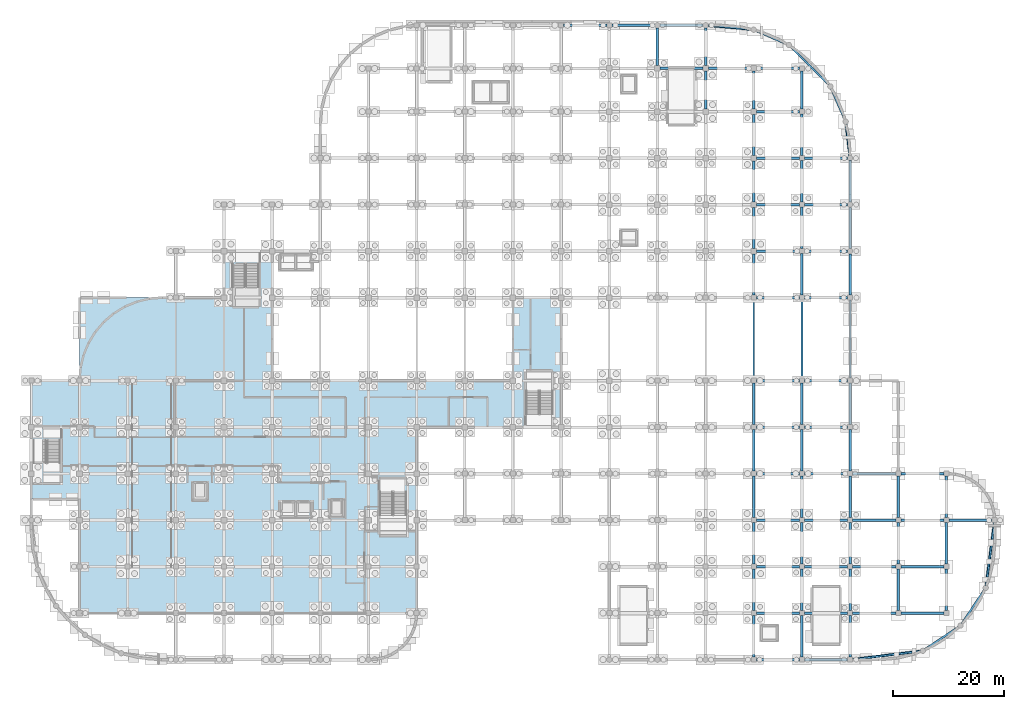
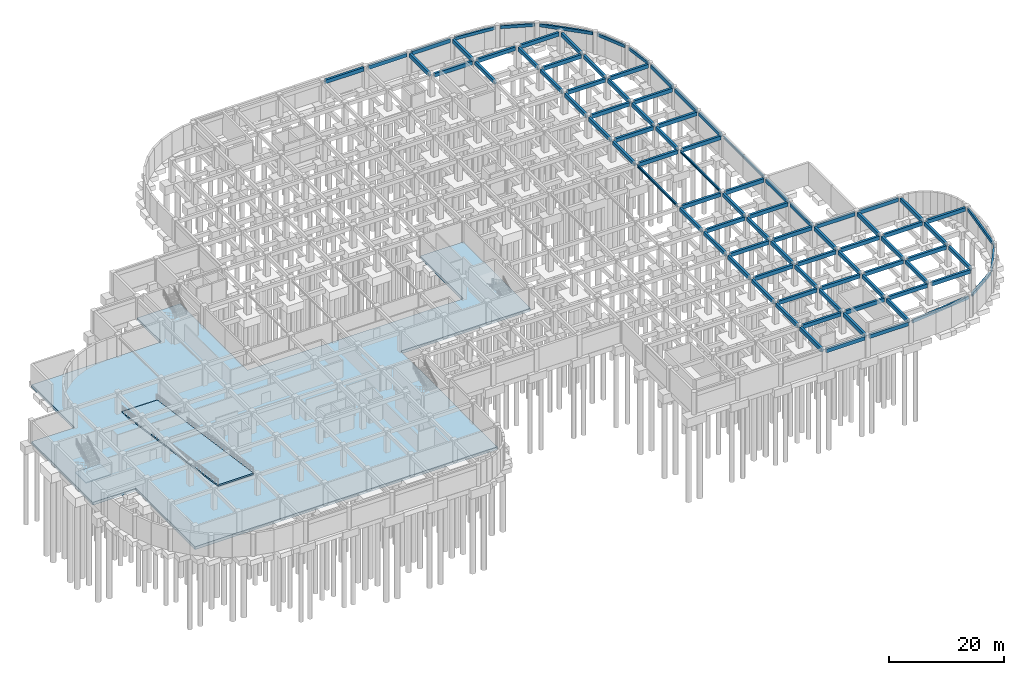
# One storey, part 19 of 33: 90 beams, 3 slabs, 1 element without a shape of its own.
"""IFC4 building model written with IfcOpenShell, lengths in metres."""

import ifcopenshell
import ifcopenshell.guid

model = None  # the IFC model being written
_history = None  # IfcOwnerHistory: only IFC2X3 demands one
_inside = {}  # id of a spatial element -> (the spatial element, [elements in it])
_under = {}  # id of a project, library or spatial element -> (it, [spatial elements below it])
_declared = {}  # id of a project -> (the project, [libraries it declares])
_typed = {}  # id of a type object -> (the type object, [elements of that type])
_made_of = {}  # id of a material, layer set ... -> (it, [elements and type objects made of it])


def new_model(schema):
    """Start an empty IFC model of exactly this schema.

    Asked for "IFC4X3", IfcOpenShell would pick the latest addendum, in which some entities
    have other attributes; the version numbers below select the first issue.
    IFC2X3 requires an IfcOwnerHistory on every rooted entity: one is made here for all.
    """
    global model, _history
    if schema == "IFC4X3":
        model = ifcopenshell.file(schema_version=(4, 3, 0, 0))
    else:
        model = ifcopenshell.file(schema=schema)
    _inside.clear()
    _under.clear()
    _declared.clear()
    _typed.clear()
    _made_of.clear()
    _history = None
    if model.schema == "IFC2X3":
        org = make("IfcOrganization", Name="unknown")
        user = make(
            "IfcPersonAndOrganization",
            ThePerson=make("IfcPerson", FamilyName="unknown"),
            TheOrganization=org,
        )
        app = make(
            "IfcApplication",
            ApplicationDeveloper=org,
            Version="unknown",
            ApplicationFullName="unknown",
            ApplicationIdentifier="unknown",
        )
        _history = make(
            "IfcOwnerHistory",
            OwningUser=user,
            OwningApplication=app,
            ChangeAction="ADDED",
            CreationDate=0,
        )
    return model


def make(cls, **values):
    """One entity of the class cls with the attributes given. An attribute that is None is left unset."""
    return model.create_entity(
        cls, **{name: value for name, value in values.items() if value is not None}
    )


def rooted(cls, **values):
    """An entity with a GlobalId (a new one), such as an element, a storey or a relation."""
    return make(cls, GlobalId=ifcopenshell.guid.new(), OwnerHistory=_history, **values)


def si_unit(unit_type, name, prefix=None):
    """IfcSIUnit, for example si_unit("LENGTHUNIT", "METRE", prefix="MILLI")."""
    return make("IfcSIUnit", UnitType=unit_type, Prefix=prefix, Name=name)


def derived_unit(unit_type, elements):
    """IfcDerivedUnit: a product of units, each with its exponent."""
    return make(
        "IfcDerivedUnit",
        Elements=[
            make("IfcDerivedUnitElement", Unit=unit, Exponent=power)
            for unit, power in elements
        ],
        UnitType=unit_type,
    )


def assignment(units):
    """IfcUnitAssignment: the units of a project."""
    return None if units is None else make("IfcUnitAssignment", Units=units)


def point(xyz):
    """IfcCartesianPoint."""
    return None if xyz is None else make("IfcCartesianPoint", Coordinates=xyz)


def direction(xyz):
    """IfcDirection."""
    return None if xyz is None else make("IfcDirection", DirectionRatios=xyz)


def frame(location, z_axis=None, x_axis=None):
    """IfcAxis2Placement3D, a coordinate frame: its origin and axes. An axis left out is left unset."""
    return make(
        "IfcAxis2Placement3D",
        Location=point(location),
        Axis=direction(z_axis),
        RefDirection=direction(x_axis),
    )


def frame_2d(location, x_axis=None):
    """IfcAxis2Placement2D, a coordinate frame in the plane: its origin and x axis."""
    return make(
        "IfcAxis2Placement2D", Location=point(location), RefDirection=direction(x_axis)
    )


def origin():
    """The frame at (0, 0, 0) with its axes left unset."""
    return frame((0.0, 0.0, 0.0))


def origin_2d():
    """The frame at (0, 0) in the plane with its x axis left unset."""
    return frame_2d((0.0, 0.0))


def place(relative_to, where):
    """IfcLocalPlacement: puts the frame where relative to a parent placement (None: the world)."""
    return make(
        "IfcLocalPlacement", PlacementRelTo=relative_to, RelativePlacement=where
    )


def context(
    kind, dimensions, precision=None, world=None, true_north=None, identifier=None
):
    """IfcGeometricRepresentationContext, for example the 3D "Model" context."""
    return make(
        "IfcGeometricRepresentationContext",
        ContextIdentifier=identifier,
        ContextType=kind,
        CoordinateSpaceDimension=dimensions,
        Precision=precision,
        WorldCoordinateSystem=world,
        TrueNorth=true_north,
    )


def subcontext(parent, identifier, kind, view, scale=None):
    """IfcGeometricRepresentationSubContext, for example "Body" below "Model"."""
    return make(
        "IfcGeometricRepresentationSubContext",
        ContextIdentifier=identifier,
        ContextType=kind,
        ParentContext=parent,
        TargetScale=scale,
        TargetView=view,
    )


def project(units=None, contexts=None):
    """IfcProject with its units and contexts."""
    return rooted(
        "IfcProject",
        Name="project",
        RepresentationContexts=contexts,
        UnitsInContext=assignment(units),
    )


def spatial(cls, under=None, at=None, **own):
    """A site, building, storey or space (cls), placed at a placement, below another one or the project."""
    s = rooted(cls, ObjectPlacement=at, **own)
    if under is not None:
        _under.setdefault(under.id(), (under, []))[1].append(s)
    return s


def polyline(points):
    """IfcPolyline through the points."""
    return make("IfcPolyline", Points=[point(p) for p in points])


def profile(cls, at=None, kind="AREA", **sizes):
    """A parametric profile (cls). Its sizes go by their IFC names, for example OverallWidth=200.0."""
    return make(cls, ProfileType=kind, Position=at, **sizes)


def rectangle(**sizes):
    """IfcRectangleProfileDef."""
    return profile("IfcRectangleProfileDef", **sizes)


def i_section(**sizes):
    """IfcIShapeProfileDef."""
    return profile("IfcIShapeProfileDef", **sizes)


def outline(outer, holes=None, kind="AREA"):
    """IfcArbitraryClosedProfileDef: a profile drawn as a closed curve; with holes, ...WithVoids."""
    if holes is None:
        return make("IfcArbitraryClosedProfileDef", ProfileType=kind, OuterCurve=outer)
    return make(
        "IfcArbitraryProfileDefWithVoids",
        ProfileType=kind,
        OuterCurve=outer,
        InnerCurves=holes,
    )


def extrude(swept, where, along, depth):
    """IfcExtrudedAreaSolid: the profile swept, set in the frame where, extruded along a direction by depth."""
    return make(
        "IfcExtrudedAreaSolid",
        SweptArea=swept,
        Position=where,
        ExtrudedDirection=direction(along),
        Depth=depth,
    )


def shape(context_of_items, identifier, shape_type, items):
    """IfcShapeRepresentation: the items that make up one representation, for example the "Body"."""
    return make(
        "IfcShapeRepresentation",
        ContextOfItems=context_of_items,
        RepresentationIdentifier=identifier,
        RepresentationType=shape_type,
        Items=items,
    )


def material(Name=None, Category=None):
    """IfcMaterial."""
    return make("IfcMaterial", Name=Name, Category=Category)


def layer(
    of_material, thickness, ventilated=None, Name=None, Category=None, Priority=None
):
    """IfcMaterialLayer: one layer of a wall or slab, of a material (None: an air gap)."""
    return make(
        "IfcMaterialLayer",
        Material=of_material,
        LayerThickness=thickness,
        IsVentilated=ventilated,
        Name=Name,
        Category=Category,
        Priority=Priority,
    )


def layer_set(layers, Name=None):
    """IfcMaterialLayerSet."""
    return make("IfcMaterialLayerSet", MaterialLayers=layers, LayerSetName=Name)


def material_profile(
    of_material, cross_section, Name=None, Category=None, Priority=None
):
    """IfcMaterialProfile: a cross section and its material."""
    return make(
        "IfcMaterialProfile",
        Name=Name,
        Material=of_material,
        Profile=cross_section,
        Priority=Priority,
        Category=Category,
    )


def profile_set(profiles, Name=None, composite=None):
    """IfcMaterialProfileSet."""
    return make(
        "IfcMaterialProfileSet",
        Name=Name,
        MaterialProfiles=profiles,
        CompositeProfile=composite,
    )


def made_of(thing, what):
    """Note that an element or type object is made of a material, layer set ...; save() writes the relation."""
    if what is not None:
        _made_of.setdefault(what.id(), (what, []))[1].append(thing)
    return thing


def type_object(cls, material=None, **own):
    """A type object (cls), such as IfcWallType, which elements share."""
    return made_of(rooted(cls, **own), material)


def element(
    cls,
    number,
    at=None,
    inside=None,
    cuts=None,
    type_object=None,
    material=None,
    context=None,
    identifier="Body",
    shape_type=None,
    held_by="IfcProductDefinitionShape",
    body=None,
    shapes=None,
    **own,
):
    """One element of the class cls, such as IfcWall. Its Tag is "e" and its number.

    at: its placement. inside: the storey or other place that contains it. cuts: it is an
    opening in that element (IfcRelVoidsElement). A single representation is given by context,
    identifier, shape_type and body (its items); several are given by shapes. held_by: the class
    of the entity that holds the representations. save() writes the other relations.
    """
    e = rooted(cls, Tag="e%d" % number, ObjectPlacement=at, **own)
    if body is not None:
        shapes = [shape(context, identifier, shape_type, body)]
    if shapes is not None:
        e.Representation = make(held_by, Representations=shapes)
    if inside is not None:
        _inside.setdefault(inside.id(), (inside, []))[1].append(e)
    if cuts is not None:
        rooted(
            "IfcRelVoidsElement", RelatingBuildingElement=cuts, RelatedOpeningElement=e
        )
    if type_object is not None:
        _typed.setdefault(type_object.id(), (type_object, []))[1].append(e)
    return made_of(e, material)


def aggregate(whole, parts):
    """IfcRelAggregates: a whole, such as a stair, and the parts it consists of."""
    return rooted("IfcRelAggregates", RelatingObject=whole, RelatedObjects=parts)


def save(model, path):
    """Write the relations noted so far, then the file.

    IfcRelAggregates (storeys below a building ...), IfcRelContainedInSpatialStructure (elements
    in a storey), IfcRelDefinesByType, IfcRelAssociatesMaterial and IfcRelDeclares: one each for
    every whole, place, type object, material and project.
    """
    for whole, parts in _under.values():
        aggregate(whole, parts)
    for where, things in _inside.values():
        rooted(
            "IfcRelContainedInSpatialStructure",
            RelatedElements=things,
            RelatingStructure=where,
        )
    for kind, things in _typed.values():
        rooted("IfcRelDefinesByType", RelatedObjects=things, RelatingType=kind)
    for what, things in _made_of.values():
        rooted("IfcRelAssociatesMaterial", RelatedObjects=things, RelatingMaterial=what)
    for by, libraries in _declared.values():
        rooted("IfcRelDeclares", RelatingContext=by, RelatedDefinitions=libraries)
    model.write(path)


model = new_model("IFC4")

# Units and contexts
model_context = context("Model", 3, precision=1e-05, world=origin(), true_north=direction((0.0, 1.0)))
body_context = subcontext(model_context, "Body", "Model", "MODEL_VIEW")
ifc_project = project(units=[si_unit("LENGTHUNIT", "METRE"), si_unit("AREAUNIT", "SQUARE_METRE"), si_unit("VOLUMEUNIT", "CUBIC_METRE"), si_unit("PLANEANGLEUNIT", "RADIAN"), si_unit("MASSUNIT", "GRAM", prefix="KILO"), derived_unit("THERMALTRANSMITTANCEUNIT", [(si_unit("MASSUNIT", "GRAM", prefix="KILO"), 1), (si_unit("TIMEUNIT", "SECOND"), -3), (si_unit("THERMODYNAMICTEMPERATUREUNIT", "KELVIN"), -1)])], contexts=[model_context])

# Site, building, storey
site_placement = place(None, origin())
site = spatial("IfcSite", under=ifc_project, at=site_placement, CompositionType="ELEMENT")
building_placement = place(site_placement, origin())
building = spatial("IfcBuilding", under=site, at=building_placement, Name="Qinzheling Arcade Emporium", CompositionType="ELEMENT")
storey_placement = place(building_placement, frame((0.0, 0.0, -9.60009765625)))
storey = spatial("IfcBuildingStorey", under=building, at=storey_placement, Name="B2", CompositionType="ELEMENT", Elevation=-9.60009765625)

# Beams
ifc_material_1 = material(Name="Structural steel Q355B", Category="steel")
ifc_material_profile_1 = material_profile(ifc_material_1, i_section(OverallWidth=0.300048828125, OverallDepth=0.488037109375, WebThickness=0.010986328125, FlangeThickness=0.01806640625, FilletRadius=0.02197265625, at=origin_2d()), Name="HM 488x300x11x18", Category="steel")
ifc_profile_set_1 = profile_set([ifc_material_profile_1], Name="Structural steel Q355B")
beam_type_1 = type_object("IfcBeamType", Name="Atrium Bridge Girder HM488 Q355B", PredefinedType="USERDEFINED", material=ifc_profile_set_1)
for number, where, z_axis, x_axis, name in (
    (1, (130.5, 50.85009765625, 4.276123046875), (0.0, 1.0, 0.0), (-1.0, 0.0, 0.0), "Beam BM-B2-Y-16-G"),
    (2, (139.199951171875, 50.85009765625, 4.276123046875), (0.0, 1.0, 0.0), (-1.0, 0.0, 0.0), "Beam BM-B2-Y-17-G"),
    (3, (147.89990234375, 50.85009765625, 4.276123046875), (0.0, 1.0, 0.0), (-1.0, 0.0, 0.0), "Beam BM-B2-Y-18-G"),
):
    element("IfcBeam", number, at=place(storey_placement, frame(where, z_axis=z_axis, x_axis=x_axis)), inside=storey, type_object=beam_type_1, Name=name, ObjectType="TRANSFER_GIRDER", PredefinedType="USERDEFINED", context=body_context, shape_type="SweptSolid", body=[
        extrude(i_section(OverallWidth=0.300048828125, OverallDepth=0.488037109375, WebThickness=0.010986328125, FlangeThickness=0.01806640625, FilletRadius=0.02197265625, at=origin_2d()), origin(), (0.0, 0.0, 1.0), 14.099853515625),
    ])
ifc_material_2 = material(Name="Concrete C40", Category="concrete")
ifc_material_profile_2 = material_profile(ifc_material_2, rectangle(XDim=0.449951171875, YDim=0.800048828125, at=origin_2d()), Name="RC 450x800", Category="concrete")
ifc_profile_set_2 = profile_set([ifc_material_profile_2], Name="Concrete C40")
beam_type_2 = type_object("IfcBeamType", Name="RC Primary Frame Beam 450x800 C40", PredefinedType="BEAM", material=ifc_profile_set_2)
for number, where, z_axis, x_axis, name in (
    (4, (130.949951171875, 0.0, 4.1201171875), (1.0, 0.0, 0.0), (0.0, 1.0, 0.0), "Beam BM-B2-X-A-16"),
    (5, (139.64990234375, 0.0, 4.1201171875), (1.0, 0.0, 0.0), (0.0, 1.0, 0.0), "Beam BM-B2-X-A-17"),
    (6, (130.949951171875, 8.39990234375, 4.1201171875), (1.0, 0.0, 0.0), (0.0, 1.0, 0.0), "Beam BM-B2-X-B-16"),
    (7, (139.64990234375, 8.39990234375, 4.1201171875), (1.0, 0.0, 0.0), (0.0, 1.0, 0.0), "Beam BM-B2-X-B-17"),
):
    element("IfcBeam", number, at=place(storey_placement, frame(where, z_axis=z_axis, x_axis=x_axis)), inside=storey, type_object=beam_type_2, Name=name, PredefinedType="BEAM", context=body_context, shape_type="SweptSolid", body=[
        extrude(rectangle(XDim=0.449951171875, YDim=0.800048828125, at=origin_2d()), origin(), (0.0, 0.0, 1.0), 7.800048828125),
    ])
beam_1_placement = place(storey_placement, frame((148.35009765625, 8.39990234375, 4.1201171875), z_axis=(1.0, 0.0, 0.0), x_axis=(0.0, 1.0, 0.0)))
element("IfcBeam", 8, at=beam_1_placement, inside=storey, type_object=beam_type_2, Name="Beam BM-B2-X-B-18", PredefinedType="BEAM", context=body_context, shape_type="SweptSolid", body=[
    extrude(rectangle(XDim=0.449951171875, YDim=0.800048828125, at=origin_2d()), origin(), (0.0, 0.0, 1.0), 7.7998046875),
])
for number, where, z_axis, x_axis, name in (
    (9, (157.050048828125, 8.39990234375, 4.1201171875), (1.0, 0.0, 0.0), (0.0, 1.0, 0.0), "Beam BM-B2-X-B-19"),
    (10, (130.949951171875, 16.800048828125, 4.1201171875), (1.0, 0.0, 0.0), (0.0, 1.0, 0.0), "Beam BM-B2-X-C-16"),
    (11, (139.64990234375, 16.800048828125, 4.1201171875), (1.0, 0.0, 0.0), (0.0, 1.0, 0.0), "Beam BM-B2-X-C-17"),
):
    element("IfcBeam", number, at=place(storey_placement, frame(where, z_axis=z_axis, x_axis=x_axis)), inside=storey, type_object=beam_type_2, Name=name, PredefinedType="BEAM", context=body_context, shape_type="SweptSolid", body=[
        extrude(rectangle(XDim=0.449951171875, YDim=0.800048828125, at=origin_2d()), origin(), (0.0, 0.0, 1.0), 7.800048828125),
    ])
beam_2_placement = place(storey_placement, frame((148.35009765625, 16.800048828125, 4.1201171875), z_axis=(1.0, 0.0, 0.0), x_axis=(0.0, 1.0, 0.0)))
element("IfcBeam", 12, at=beam_2_placement, inside=storey, type_object=beam_type_2, Name="Beam BM-B2-X-C-18", PredefinedType="BEAM", context=body_context, shape_type="SweptSolid", body=[
    extrude(rectangle(XDim=0.449951171875, YDim=0.800048828125, at=origin_2d()), origin(), (0.0, 0.0, 1.0), 7.7998046875),
])
for number, where, z_axis, x_axis, name in (
    (13, (157.050048828125, 16.800048828125, 4.1201171875), (1.0, 0.0, 0.0), (0.0, 1.0, 0.0), "Beam BM-B2-X-C-19"),
    (14, (130.949951171875, 25.199951171875, 4.1201171875), (1.0, 0.0, 0.0), (0.0, 1.0, 0.0), "Beam BM-B2-X-D-16"),
    (15, (139.64990234375, 25.199951171875, 4.1201171875), (1.0, 0.0, 0.0), (0.0, 1.0, 0.0), "Beam BM-B2-X-D-17"),
):
    element("IfcBeam", number, at=place(storey_placement, frame(where, z_axis=z_axis, x_axis=x_axis)), inside=storey, type_object=beam_type_2, Name=name, PredefinedType="BEAM", context=body_context, shape_type="SweptSolid", body=[
        extrude(rectangle(XDim=0.449951171875, YDim=0.800048828125, at=origin_2d()), origin(), (0.0, 0.0, 1.0), 7.800048828125),
    ])
beam_3_placement = place(storey_placement, frame((148.35009765625, 25.199951171875, 4.1201171875), z_axis=(1.0, 0.0, 0.0), x_axis=(0.0, 1.0, 0.0)))
element("IfcBeam", 16, at=beam_3_placement, inside=storey, type_object=beam_type_2, Name="Beam BM-B2-X-D-18", PredefinedType="BEAM", context=body_context, shape_type="SweptSolid", body=[
    extrude(rectangle(XDim=0.449951171875, YDim=0.800048828125, at=origin_2d()), origin(), (0.0, 0.0, 1.0), 7.7998046875),
])
for number, where, z_axis, x_axis, name in (
    (17, (157.050048828125, 25.199951171875, 4.1201171875), (1.0, 0.0, 0.0), (0.0, 1.0, 0.0), "Beam BM-B2-X-D-19"),
    (18, (165.75, 25.199951171875, 4.1201171875), (1.0, 0.0, 0.0), (0.0, 1.0, 0.0), "Beam BM-B2-X-D-20"),
    (19, (130.949951171875, 33.60009765625, 4.1201171875), (1.0, 0.0, 0.0), (0.0, 1.0, 0.0), "Beam BM-B2-X-E-16"),
    (20, (139.64990234375, 33.60009765625, 4.1201171875), (1.0, 0.0, 0.0), (0.0, 1.0, 0.0), "Beam BM-B2-X-E-17"),
):
    element("IfcBeam", number, at=place(storey_placement, frame(where, z_axis=z_axis, x_axis=x_axis)), inside=storey, type_object=beam_type_2, Name=name, PredefinedType="BEAM", context=body_context, shape_type="SweptSolid", body=[
        extrude(rectangle(XDim=0.449951171875, YDim=0.800048828125, at=origin_2d()), origin(), (0.0, 0.0, 1.0), 7.800048828125),
    ])
beam_4_placement = place(storey_placement, frame((148.35009765625, 33.60009765625, 4.1201171875), z_axis=(1.0, 0.0, 0.0), x_axis=(0.0, 1.0, 0.0)))
element("IfcBeam", 21, at=beam_4_placement, inside=storey, type_object=beam_type_2, Name="Beam BM-B2-X-E-18", PredefinedType="BEAM", context=body_context, shape_type="SweptSolid", body=[
    extrude(rectangle(XDim=0.449951171875, YDim=0.800048828125, at=origin_2d()), origin(), (0.0, 0.0, 1.0), 7.7998046875),
])
for number, where, z_axis, x_axis, name in (
    (22, (157.050048828125, 33.60009765625, 4.1201171875), (1.0, 0.0, 0.0), (0.0, 1.0, 0.0), "Beam BM-B2-X-E-19"),
    (23, (130.949951171875, 42.0, 4.1201171875), (1.0, 0.0, 0.0), (0.0, 1.0, 0.0), "Beam BM-B2-X-F-16"),
    (24, (139.64990234375, 42.0, 4.1201171875), (1.0, 0.0, 0.0), (0.0, 1.0, 0.0), "Beam BM-B2-X-F-17"),
    (25, (130.949951171875, 50.39990234375, 4.1201171875), (1.0, 0.0, 0.0), (0.0, 1.0, 0.0), "Beam BM-B2-X-G-16"),
    (26, (139.64990234375, 50.39990234375, 4.1201171875), (1.0, 0.0, 0.0), (0.0, 1.0, 0.0), "Beam BM-B2-X-G-17"),
    (27, (130.949951171875, 65.39990234375, 4.1201171875), (1.0, 0.0, 0.0), (0.0, 1.0, 0.0), "Beam BM-B2-X-H-16"),
    (28, (139.64990234375, 65.39990234375, 4.1201171875), (1.0, 0.0, 0.0), (0.0, 1.0, 0.0), "Beam BM-B2-X-H-17"),
):
    element("IfcBeam", number, at=place(storey_placement, frame(where, z_axis=z_axis, x_axis=x_axis)), inside=storey, type_object=beam_type_2, Name=name, PredefinedType="BEAM", context=body_context, shape_type="SweptSolid", body=[
        extrude(rectangle(XDim=0.449951171875, YDim=0.800048828125, at=origin_2d()), origin(), (0.0, 0.0, 1.0), 7.800048828125),
    ])
beam_5_placement = place(storey_placement, frame((131.0, 73.800048828125, 4.1201171875), z_axis=(1.0, 0.0, 0.0), x_axis=(0.0, 1.0, 0.0)))
element("IfcBeam", 29, at=beam_5_placement, inside=storey, type_object=beam_type_2, Name="Beam BM-B2-X-J-16", PredefinedType="BEAM", context=body_context, shape_type="SweptSolid", body=[
    extrude(rectangle(XDim=0.449951171875, YDim=0.800048828125, at=origin_2d()), origin(), (0.0, 0.0, 1.0), 7.75),
])
beam_6_placement = place(storey_placement, frame((139.64990234375, 73.800048828125, 4.1201171875), z_axis=(1.0, 0.0, 0.0), x_axis=(0.0, 1.0, 0.0)))
element("IfcBeam", 30, at=beam_6_placement, inside=storey, type_object=beam_type_2, Name="Beam BM-B2-X-J-17", PredefinedType="BEAM", context=body_context, shape_type="SweptSolid", body=[
    extrude(rectangle(XDim=0.449951171875, YDim=0.800048828125, at=origin_2d()), origin(), (0.0, 0.0, 1.0), 7.775146484375),
])
beam_7_placement = place(storey_placement, frame((131.0, 82.199951171875, 4.1201171875), z_axis=(1.0, 0.0, 0.0), x_axis=(0.0, 1.0, 0.0)))
element("IfcBeam", 31, at=beam_7_placement, inside=storey, type_object=beam_type_2, Name="Beam BM-B2-X-K-16", PredefinedType="BEAM", context=body_context, shape_type="SweptSolid", body=[
    extrude(rectangle(XDim=0.449951171875, YDim=0.800048828125, at=origin_2d()), origin(), (0.0, 0.0, 1.0), 7.75),
])
beam_8_placement = place(storey_placement, frame((139.64990234375, 82.199951171875, 4.1201171875), z_axis=(1.0, 0.0, 0.0), x_axis=(0.0, 1.0, 0.0)))
element("IfcBeam", 32, at=beam_8_placement, inside=storey, type_object=beam_type_2, Name="Beam BM-B2-X-K-17", PredefinedType="BEAM", context=body_context, shape_type="SweptSolid", body=[
    extrude(rectangle(XDim=0.449951171875, YDim=0.800048828125, at=origin_2d()), origin(), (0.0, 0.0, 1.0), 7.775146484375),
])
beam_9_placement = place(storey_placement, frame((131.0, 90.60009765625, 4.1201171875), z_axis=(1.0, 0.0, 0.0), x_axis=(0.0, 1.0, 0.0)))
element("IfcBeam", 33, at=beam_9_placement, inside=storey, type_object=beam_type_2, Name="Beam BM-B2-X-L-16", PredefinedType="BEAM", context=body_context, shape_type="SweptSolid", body=[
    extrude(rectangle(XDim=0.449951171875, YDim=0.800048828125, at=origin_2d()), origin(), (0.0, 0.0, 1.0), 7.75),
])
beam_10_placement = place(storey_placement, frame((139.64990234375, 90.60009765625, 4.1201171875), z_axis=(1.0, 0.0, 0.0), x_axis=(0.0, 1.0, 0.0)))
element("IfcBeam", 34, at=beam_10_placement, inside=storey, type_object=beam_type_2, Name="Beam BM-B2-X-L-17", PredefinedType="BEAM", context=body_context, shape_type="SweptSolid", body=[
    extrude(rectangle(XDim=0.449951171875, YDim=0.800048828125, at=origin_2d()), origin(), (0.0, 0.0, 1.0), 7.775146484375),
])
beam_11_placement = place(storey_placement, frame((131.0, 99.0, 4.1201171875), z_axis=(1.0, 0.0, 0.0), x_axis=(0.0, 1.0, 0.0)))
element("IfcBeam", 35, at=beam_11_placement, inside=storey, type_object=beam_type_2, Name="Beam BM-B2-X-M-16", PredefinedType="BEAM", context=body_context, shape_type="SweptSolid", body=[
    extrude(rectangle(XDim=0.449951171875, YDim=0.800048828125, at=origin_2d()), origin(), (0.0, 0.0, 1.0), 7.75),
])
for number, where, z_axis, x_axis, name in (
    (36, (113.60009765625, 106.800048828125, 4.1201171875), (1.0, 0.0, 0.0), (0.0, 1.0, 0.0), "Beam BM-B2-X-N-14"),
    (37, (122.300048828125, 106.800048828125, 4.1201171875), (1.0, 0.0, 0.0), (0.0, 1.0, 0.0), "Beam BM-B2-X-N-15"),
):
    element("IfcBeam", number, at=place(storey_placement, frame(where, z_axis=z_axis, x_axis=x_axis)), inside=storey, type_object=beam_type_2, Name=name, PredefinedType="BEAM", context=body_context, shape_type="SweptSolid", body=[
        extrude(rectangle(XDim=0.449951171875, YDim=0.800048828125, at=origin_2d()), origin(), (0.0, 0.0, 1.0), 7.699951171875),
    ])
beam_12_placement = place(storey_placement, frame((131.0, 106.800048828125, 4.1201171875), z_axis=(1.0, 0.0, 0.0), x_axis=(0.0, 1.0, 0.0)))
element("IfcBeam", 38, at=beam_12_placement, inside=storey, type_object=beam_type_2, Name="Beam BM-B2-X-N-16", PredefinedType="BEAM", context=body_context, shape_type="SweptSolid", body=[
    extrude(rectangle(XDim=0.449951171875, YDim=0.800048828125, at=origin_2d()), origin(), (0.0, 0.0, 1.0), 7.75),
])
beam_13_placement = place(storey_placement, frame((96.14990234375, 114.60009765625, 4.1201171875), z_axis=(1.0, 0.0, 0.0), x_axis=(0.0, 1.0, 0.0)))
element("IfcBeam", 39, at=beam_13_placement, inside=storey, type_object=beam_type_2, Name="Beam BM-B2-X-P-12", PredefinedType="BEAM", context=body_context, shape_type="SweptSolid", body=[
    extrude(rectangle(XDim=0.449951171875, YDim=0.800048828125, at=origin_2d()), origin(), (0.0, 0.0, 1.0), 7.800048828125),
])
beam_14_placement = place(storey_placement, frame((104.85009765625, 114.60009765625, 4.1201171875), z_axis=(1.0, 0.0, 0.0), x_axis=(0.0, 1.0, 0.0)))
element("IfcBeam", 40, at=beam_14_placement, inside=storey, type_object=beam_type_2, Name="Beam BM-B2-X-P-13", PredefinedType="BEAM", context=body_context, shape_type="SweptSolid", body=[
    extrude(rectangle(XDim=0.449951171875, YDim=0.800048828125, at=origin_2d()), origin(), (0.0, 0.0, 1.0), 7.77490234375),
])
beam_15_placement = place(storey_placement, frame((113.574951171875, 114.60009765625, 4.1201171875), z_axis=(1.0, 0.0, 0.0), x_axis=(0.0, 1.0, 0.0)))
element("IfcBeam", 41, at=beam_15_placement, inside=storey, type_object=beam_type_2, Name="Beam BM-B2-X-P-14", PredefinedType="BEAM", context=body_context, shape_type="SweptSolid", body=[
    extrude(rectangle(XDim=0.449951171875, YDim=0.800048828125, at=origin_2d()), origin(), (0.0, 0.0, 1.0), 7.75),
])
beam_16_placement = place(storey_placement, frame((113.10009765625, 107.300048828125, 4.1201171875), z_axis=(0.0, 1.0, 0.0), x_axis=(-1.0, 0.0, 0.0)))
element("IfcBeam", 42, at=beam_16_placement, inside=storey, type_object=beam_type_2, Name="Beam BM-B2-Y-14-N", PredefinedType="BEAM", context=body_context, shape_type="SweptSolid", body=[
    extrude(rectangle(XDim=0.449951171875, YDim=0.800048828125, at=origin_2d()), origin(), (0.0, 0.0, 1.0), 6.824951171875),
])
beam_17_placement = place(storey_placement, frame((121.800048828125, 99.5, 4.1201171875), z_axis=(0.0, 1.0, 0.0), x_axis=(-1.0, 0.0, 0.0)))
element("IfcBeam", 43, at=beam_17_placement, inside=storey, type_object=beam_type_2, Name="Beam BM-B2-Y-15-M", PredefinedType="BEAM", context=body_context, shape_type="SweptSolid", body=[
    extrude(rectangle(XDim=0.449951171875, YDim=0.800048828125, at=origin_2d()), origin(), (0.0, 0.0, 1.0), 6.800048828125),
])
beam_18_placement = place(storey_placement, frame((121.800048828125, 107.300048828125, 4.1201171875), z_axis=(0.0, 1.0, 0.0), x_axis=(-1.0, 0.0, 0.0)))
element("IfcBeam", 44, at=beam_18_placement, inside=storey, type_object=beam_type_2, Name="Beam BM-B2-Y-15-N", PredefinedType="BEAM", context=body_context, shape_type="SweptSolid", body=[
    extrude(rectangle(XDim=0.449951171875, YDim=0.800048828125, at=origin_2d()), origin(), (0.0, 0.0, 1.0), 6.824951171875),
])
for number, where, z_axis, x_axis, name in (
    (45, (130.5, 0.449951171875, 4.1201171875), (0.0, 1.0, 0.0), (-1.0, 0.0, 0.0), "Beam BM-B2-Y-16-A"),
    (46, (130.5, 8.85009765625, 4.1201171875), (0.0, 1.0, 0.0), (-1.0, 0.0, 0.0), "Beam BM-B2-Y-16-B"),
    (47, (130.5, 17.25, 4.1201171875), (0.0, 1.0, 0.0), (-1.0, 0.0, 0.0), "Beam BM-B2-Y-16-C"),
    (48, (130.5, 25.64990234375, 4.1201171875), (0.0, 1.0, 0.0), (-1.0, 0.0, 0.0), "Beam BM-B2-Y-16-D"),
    (49, (130.5, 34.050048828125, 4.1201171875), (0.0, 1.0, 0.0), (-1.0, 0.0, 0.0), "Beam BM-B2-Y-16-E"),
    (50, (130.5, 42.449951171875, 4.1201171875), (0.0, 1.0, 0.0), (-1.0, 0.0, 0.0), "Beam BM-B2-Y-16-F"),
):
    element("IfcBeam", number, at=place(storey_placement, frame(where, z_axis=z_axis, x_axis=x_axis)), inside=storey, type_object=beam_type_2, Name=name, PredefinedType="BEAM", context=body_context, shape_type="SweptSolid", body=[
        extrude(rectangle(XDim=0.449951171875, YDim=0.800048828125, at=origin_2d()), origin(), (0.0, 0.0, 1.0), 7.5),
    ])
beam_19_placement = place(storey_placement, frame((130.5, 65.85009765625, 4.1201171875), z_axis=(0.0, 1.0, 0.0), x_axis=(-1.0, 0.0, 0.0)))
element("IfcBeam", 51, at=beam_19_placement, inside=storey, type_object=beam_type_2, Name="Beam BM-B2-Y-16-H", PredefinedType="BEAM", context=body_context, shape_type="SweptSolid", body=[
    extrude(rectangle(XDim=0.449951171875, YDim=0.800048828125, at=origin_2d()), origin(), (0.0, 0.0, 1.0), 7.449951171875),
])
beam_20_placement = place(storey_placement, frame((130.5, 74.300048828125, 4.1201171875), z_axis=(0.0, 1.0, 0.0), x_axis=(-1.0, 0.0, 0.0)))
element("IfcBeam", 52, at=beam_20_placement, inside=storey, type_object=beam_type_2, Name="Beam BM-B2-Y-16-J", PredefinedType="BEAM", context=body_context, shape_type="SweptSolid", body=[
    extrude(rectangle(XDim=0.449951171875, YDim=0.800048828125, at=origin_2d()), origin(), (0.0, 0.0, 1.0), 7.39990234375),
])
beam_21_placement = place(storey_placement, frame((130.5, 82.699951171875, 4.1201171875), z_axis=(0.0, 1.0, 0.0), x_axis=(-1.0, 0.0, 0.0)))
element("IfcBeam", 53, at=beam_21_placement, inside=storey, type_object=beam_type_2, Name="Beam BM-B2-Y-16-K", PredefinedType="BEAM", context=body_context, shape_type="SweptSolid", body=[
    extrude(rectangle(XDim=0.449951171875, YDim=0.800048828125, at=origin_2d()), origin(), (0.0, 0.0, 1.0), 7.400146484375),
])
beam_22_placement = place(storey_placement, frame((130.5, 91.10009765625, 4.1201171875), z_axis=(0.0, 1.0, 0.0), x_axis=(-1.0, 0.0, 0.0)))
element("IfcBeam", 54, at=beam_22_placement, inside=storey, type_object=beam_type_2, Name="Beam BM-B2-Y-16-L", PredefinedType="BEAM", context=body_context, shape_type="SweptSolid", body=[
    extrude(rectangle(XDim=0.449951171875, YDim=0.800048828125, at=origin_2d()), origin(), (0.0, 0.0, 1.0), 7.39990234375),
])
beam_23_placement = place(storey_placement, frame((130.5, 99.5, 4.1201171875), z_axis=(0.0, 1.0, 0.0), x_axis=(-1.0, 0.0, 0.0)))
element("IfcBeam", 55, at=beam_23_placement, inside=storey, type_object=beam_type_2, Name="Beam BM-B2-Y-16-M", PredefinedType="BEAM", context=body_context, shape_type="SweptSolid", body=[
    extrude(rectangle(XDim=0.449951171875, YDim=0.800048828125, at=origin_2d()), origin(), (0.0, 0.0, 1.0), 6.800048828125),
])
for number, where, z_axis, x_axis, name in (
    (56, (139.199951171875, 0.449951171875, 4.1201171875), (0.0, 1.0, 0.0), (-1.0, 0.0, 0.0), "Beam BM-B2-Y-17-A"),
    (57, (139.199951171875, 8.85009765625, 4.1201171875), (0.0, 1.0, 0.0), (-1.0, 0.0, 0.0), "Beam BM-B2-Y-17-B"),
    (58, (139.199951171875, 17.25, 4.1201171875), (0.0, 1.0, 0.0), (-1.0, 0.0, 0.0), "Beam BM-B2-Y-17-C"),
    (59, (139.199951171875, 25.64990234375, 4.1201171875), (0.0, 1.0, 0.0), (-1.0, 0.0, 0.0), "Beam BM-B2-Y-17-D"),
    (60, (139.199951171875, 34.050048828125, 4.1201171875), (0.0, 1.0, 0.0), (-1.0, 0.0, 0.0), "Beam BM-B2-Y-17-E"),
    (61, (139.199951171875, 42.449951171875, 4.1201171875), (0.0, 1.0, 0.0), (-1.0, 0.0, 0.0), "Beam BM-B2-Y-17-F"),
    (62, (139.199951171875, 65.85009765625, 4.1201171875), (0.0, 1.0, 0.0), (-1.0, 0.0, 0.0), "Beam BM-B2-Y-17-H"),
    (63, (139.199951171875, 74.25, 4.1201171875), (0.0, 1.0, 0.0), (-1.0, 0.0, 0.0), "Beam BM-B2-Y-17-J"),
    (64, (139.199951171875, 82.64990234375, 4.1201171875), (0.0, 1.0, 0.0), (-1.0, 0.0, 0.0), "Beam BM-B2-Y-17-K"),
    (65, (139.199951171875, 91.050048828125, 4.1201171875), (0.0, 1.0, 0.0), (-1.0, 0.0, 0.0), "Beam BM-B2-Y-17-L"),
):
    element("IfcBeam", number, at=place(storey_placement, frame(where, z_axis=z_axis, x_axis=x_axis)), inside=storey, type_object=beam_type_2, Name=name, PredefinedType="BEAM", context=body_context, shape_type="SweptSolid", body=[
        extrude(rectangle(XDim=0.449951171875, YDim=0.800048828125, at=origin_2d()), origin(), (0.0, 0.0, 1.0), 7.5),
    ])
beam_24_placement = place(storey_placement, frame((139.199951171875, 99.449951171875, 4.1201171875), z_axis=(0.0, 1.0, 0.0), x_axis=(-1.0, 0.0, 0.0)))
element("IfcBeam", 66, at=beam_24_placement, inside=storey, type_object=beam_type_2, Name="Beam BM-B2-Y-17-M", PredefinedType="BEAM", context=body_context, shape_type="SweptSolid", body=[
    extrude(rectangle(XDim=0.449951171875, YDim=0.800048828125, at=origin_2d()), origin(), (0.0, 0.0, 1.0), 6.900146484375),
])
for number, where, z_axis, x_axis, name in (
    (67, (147.89990234375, 0.449951171875, 4.1201171875), (0.0, 1.0, 0.0), (-1.0, 0.0, 0.0), "Beam BM-B2-Y-18-A"),
    (68, (147.89990234375, 8.85009765625, 4.1201171875), (0.0, 1.0, 0.0), (-1.0, 0.0, 0.0), "Beam BM-B2-Y-18-B"),
    (69, (147.89990234375, 17.25, 4.1201171875), (0.0, 1.0, 0.0), (-1.0, 0.0, 0.0), "Beam BM-B2-Y-18-C"),
    (70, (147.89990234375, 25.64990234375, 4.1201171875), (0.0, 1.0, 0.0), (-1.0, 0.0, 0.0), "Beam BM-B2-Y-18-D"),
    (71, (147.89990234375, 34.050048828125, 4.1201171875), (0.0, 1.0, 0.0), (-1.0, 0.0, 0.0), "Beam BM-B2-Y-18-E"),
    (72, (147.89990234375, 42.449951171875, 4.1201171875), (0.0, 1.0, 0.0), (-1.0, 0.0, 0.0), "Beam BM-B2-Y-18-F"),
):
    element("IfcBeam", number, at=place(storey_placement, frame(where, z_axis=z_axis, x_axis=x_axis)), inside=storey, type_object=beam_type_2, Name=name, PredefinedType="BEAM", context=body_context, shape_type="SweptSolid", body=[
        extrude(rectangle(XDim=0.449951171875, YDim=0.800048828125, at=origin_2d()), origin(), (0.0, 0.0, 1.0), 7.5),
    ])
beam_25_placement = place(storey_placement, frame((147.89990234375, 65.85009765625, 4.1201171875), z_axis=(0.0, 1.0, 0.0), x_axis=(-1.0, 0.0, 0.0)))
element("IfcBeam", 73, at=beam_25_placement, inside=storey, type_object=beam_type_2, Name="Beam BM-B2-Y-18-H", PredefinedType="BEAM", context=body_context, shape_type="SweptSolid", body=[
    extrude(rectangle(XDim=0.449951171875, YDim=0.800048828125, at=origin_2d()), origin(), (0.0, 0.0, 1.0), 7.474853515625),
])
beam_26_placement = place(storey_placement, frame((147.89990234375, 74.27490234375, 4.1201171875), z_axis=(0.0, 1.0, 0.0), x_axis=(-1.0, 0.0, 0.0)))
element("IfcBeam", 74, at=beam_26_placement, inside=storey, type_object=beam_type_2, Name="Beam BM-B2-Y-18-J", PredefinedType="BEAM", context=body_context, shape_type="SweptSolid", body=[
    extrude(rectangle(XDim=0.449951171875, YDim=0.800048828125, at=origin_2d()), origin(), (0.0, 0.0, 1.0), 7.4501953125),
])
beam_27_placement = place(storey_placement, frame((147.89990234375, 82.675048828125, 4.1201171875), z_axis=(0.0, 1.0, 0.0), x_axis=(-1.0, 0.0, 0.0)))
element("IfcBeam", 75, at=beam_27_placement, inside=storey, type_object=beam_type_2, Name="Beam BM-B2-Y-18-K", PredefinedType="BEAM", context=body_context, shape_type="SweptSolid", body=[
    extrude(rectangle(XDim=0.449951171875, YDim=0.800048828125, at=origin_2d()), origin(), (0.0, 0.0, 1.0), 7.449951171875),
])
for number, where, z_axis, x_axis, name in (
    (76, (156.60009765625, 8.85009765625, 4.1201171875), (0.0, 1.0, 0.0), (-1.0, 0.0, 0.0), "Beam BM-B2-Y-19-B"),
    (77, (156.60009765625, 17.25, 4.1201171875), (0.0, 1.0, 0.0), (-1.0, 0.0, 0.0), "Beam BM-B2-Y-19-C"),
    (78, (156.60009765625, 25.64990234375, 4.1201171875), (0.0, 1.0, 0.0), (-1.0, 0.0, 0.0), "Beam BM-B2-Y-19-D"),
    (79, (165.300048828125, 8.85009765625, 4.1201171875), (0.0, 1.0, 0.0), (-1.0, 0.0, 0.0), "Beam BM-B2-Y-20-B"),
    (80, (165.300048828125, 17.25, 4.1201171875), (0.0, 1.0, 0.0), (-1.0, 0.0, 0.0), "Beam BM-B2-Y-20-C"),
    (81, (165.300048828125, 25.64990234375, 4.1201171875), (0.0, 1.0, 0.0), (-1.0, 0.0, 0.0), "Beam BM-B2-Y-20-D"),
):
    element("IfcBeam", number, at=place(storey_placement, frame(where, z_axis=z_axis, x_axis=x_axis)), inside=storey, type_object=beam_type_2, Name=name, PredefinedType="BEAM", context=body_context, shape_type="SweptSolid", body=[
        extrude(rectangle(XDim=0.449951171875, YDim=0.800048828125, at=origin_2d()), origin(), (0.0, 0.0, 1.0), 7.5),
    ])
ifc_material_profile_3 = material_profile(ifc_material_2, rectangle(XDim=0.35009765625, YDim=0.64990234375, at=origin_2d()), Name="RC 350x650", Category="concrete")
ifc_profile_set_3 = profile_set([ifc_material_profile_3], Name="Concrete C40")
beam_type_3 = type_object("IfcBeamType", Name="RC Spandrel Edge Beam 350x650 C40", PredefinedType="SPANDREL", material=ifc_profile_set_3)
beam_28_placement = place(storey_placement, frame((148.366943359375, 0.056884765625, 4.195068359375), z_axis=(0.992674779847, 0.120817140572, 0.0), x_axis=(-0.120817140572, 0.992674779847, 0.0)))
element("IfcBeam", 82, at=beam_28_placement, inside=storey, type_object=beam_type_3, Name="Curved Arcade Spandrel BM-B2-CV4-B01", PredefinedType="SPANDREL", context=body_context, shape_type="SweptSolid", body=[
    extrude(rectangle(XDim=0.35009765625, YDim=0.64990234375, at=origin_2d()), origin(), (0.0, 0.0, 1.0), 12.292236328125),
])
for number, where, z_axis, x_axis, name in (
    (83, (161.427001953125, 1.860107421875, 4.195068359375), (0.831469874952, 0.555569839937, 0.0), (-0.555569839937, 0.831469874952, 0.0), "Curved Arcade Spandrel BM-B2-CV4-B02"),
    (84, (168.110107421875, 6.5419921875, 4.195068359375), (0.555569839937, 0.831469874952, 0.0), (-0.831469874952, 0.555569839937, 0.0), "Curved Arcade Spandrel BM-B2-CV4-B03"),
):
    element("IfcBeam", number, at=place(storey_placement, frame(where, z_axis=z_axis, x_axis=x_axis)), inside=storey, type_object=beam_type_3, Name=name, PredefinedType="SPANDREL", context=body_context, shape_type="SweptSolid", body=[
        extrude(rectangle(XDim=0.35009765625, YDim=0.64990234375, at=origin_2d()), origin(), (0.0, 0.0, 1.0), 7.25341796875),
    ])
beam_29_placement = place(storey_placement, frame((172.4619140625, 13.429931640625, 4.195068359375), z_axis=(0.129565319935, 0.991570888979, 0.0), x_axis=(-0.991570888979, 0.129565319935, 0.0)))
element("IfcBeam", 85, at=beam_29_placement, inside=storey, type_object=beam_type_3, Name="Curved Arcade Spandrel BM-B2-CV4-B04", PredefinedType="SPANDREL", context=body_context, shape_type="SweptSolid", body=[
    extrude(rectangle(XDim=0.35009765625, YDim=0.64990234375, at=origin_2d()), origin(), (0.0, 0.0, 1.0), 11.400146484375),
])
beam_30_placement = place(storey_placement, frame((147.843017578125, 91.06689453125, 4.195068359375), z_axis=(-0.120743975831, 0.992683681895, 0.0), x_axis=(-0.992683681895, -0.120743975831, 0.0)))
element("IfcBeam", 86, at=beam_30_placement, inside=storey, type_object=beam_type_3, Name="Curved Arcade Spandrel BM-B2-CV6-B01", PredefinedType="SPANDREL", context=body_context, shape_type="SweptSolid", body=[
    extrude(rectangle(XDim=0.35009765625, YDim=0.64990234375, at=origin_2d()), origin(), (0.0, 0.0, 1.0), 5.68994140625),
])
beam_31_placement = place(storey_placement, frame((146.912109375, 97.613037109375, 4.195068359375), z_axis=(-0.398833101569, 0.917023531374, 0.0), x_axis=(-0.917023531374, -0.398833101569, 0.0)))
element("IfcBeam", 87, at=beam_31_placement, inside=storey, type_object=beam_type_3, Name="Curved Arcade Spandrel BM-B2-CV6-B02", PredefinedType="SPANDREL", context=body_context, shape_type="SweptSolid", body=[
    extrude(rectangle(XDim=0.35009765625, YDim=0.64990234375, at=origin_2d()), origin(), (0.0, 0.0, 1.0), 6.007568359375),
])
beam_32_placement = place(storey_placement, frame((143.9970703125, 103.885009765625, 4.195068359375), z_axis=(-0.707106781187, 0.707106781187, 0.0), x_axis=(-0.707106781187, -0.707106781187, 0.0)))
element("IfcBeam", 88, at=beam_32_placement, inside=storey, type_object=beam_type_3, Name="Curved Arcade Spandrel BM-B2-CV6-B03", PredefinedType="SPANDREL", context=body_context, shape_type="SweptSolid", body=[
    extrude(rectangle(XDim=0.35009765625, YDim=0.64990234375, at=origin_2d()), origin(), (0.0, 0.0, 1.0), 9.633544921875),
])
beam_33_placement = place(storey_placement, frame((136.422119140625, 111.216064453125, 4.195068359375), z_axis=(-0.917023531374, 0.398833101569, 0.0), x_axis=(-0.398833101569, -0.917023531374, 0.0)))
element("IfcBeam", 89, at=beam_33_placement, inside=storey, type_object=beam_type_3, Name="Curved Arcade Spandrel BM-B2-CV6-B04", PredefinedType="SPANDREL", context=body_context, shape_type="SweptSolid", body=[
    extrude(rectangle(XDim=0.35009765625, YDim=0.64990234375, at=origin_2d()), origin(), (0.0, 0.0, 1.0), 6.007568359375),
])
beam_34_placement = place(storey_placement, frame((130.013916015625, 113.842041015625, 4.195068359375), z_axis=(-0.995768534988, 0.09189681566, 0.0), x_axis=(-0.09189681566, -0.995768534988, 0.0)))
element("IfcBeam", 90, at=beam_34_placement, inside=storey, type_object=beam_type_3, Name="Curved Arcade Spandrel BM-B2-CV6-B05", PredefinedType="SPANDREL", context=body_context, shape_type="SweptSolid", body=[
    extrude(rectangle(XDim=0.35009765625, YDim=0.64990234375, at=origin_2d()), origin(), (0.0, 0.0, 1.0), 7.77880859375),
])

# Slab
ifc_layer_1 = layer(ifc_material_2, 0.300048828125, Name="Concrete C40", Category="concrete")
ifc_layer_set_1 = layer_set([ifc_layer_1], Name="Concrete C40")
slab_type_1 = type_object("IfcSlabType", Name="Sloped Concrete Vehicle Ramp Slab 300 C40", PredefinedType="FLOOR", material=ifc_layer_set_1)
slab_1_placement = place(storey_placement, frame((18.14990234375, 16.800048828125, 4.800048828125), z_axis=(0.0, 0.141423370303, 0.989949205935), x_axis=(1.0, 0.0, 0.0)))
element("IfcSlab", 91, at=slab_1_placement, inside=storey, type_object=slab_type_1, Name="Concrete Vehicle Ramp Slab SLB-RMP-VR2", PredefinedType="FLOOR", context=body_context, shape_type="SweptSolid", body=[
    extrude(outline(polyline([(0.0, 0.0), (7.2001953125, 0.0), (7.2001953125, 33.94098739023133), (0.0, 33.94098739023133), (0.0, 0.0)])), origin(), (0.0, 0.0, -1.0), 0.300048828125),
])

# Stair, slab
stair_type = type_object("IfcStairType", Name="Cast-in-Situ Dog-Leg Escape Stair H4800", PredefinedType="HALF_TURN_STAIR", material=ifc_material_2)
stair_placement = place(storey_placement, origin())
stair = element("IfcStair", 92, at=stair_placement, inside=storey, type_object=stair_type, Name="B2 ST02", PredefinedType="HALF_TURN_STAIR")
ifc_layer_2 = layer(ifc_material_2, 0.199951171875, Name="Concrete C40", Category="concrete")
ifc_layer_set_2 = layer_set([ifc_layer_2], Name="Concrete C40")
slab_type_2 = type_object("IfcSlabType", Name="Stair Half-Turn Landing Slab 200 C40", PredefinedType="LANDING", material=ifc_layer_set_2)
slab_2_placement = place(storey_placement, frame((0.0, 0.0, 2.2001953125)))
slab_2 = element("IfcSlab", 93, at=slab_2_placement, type_object=slab_type_2, Name="ST02 landing 1", PredefinedType="LANDING", context=body_context, shape_type="SweptSolid", body=[
    extrude(outline(polyline([(0.280029296875, 35.60009765625), (5.31005859375, 35.60009765625), (5.31005859375, 31.8798828125), (0.280029296875, 31.8798828125), (0.280029296875, 35.60009765625)])), origin(), (0.0, 0.0, 1.0), 0.199951171875),
])
aggregate(stair, [slab_2])

# Slab
ifc_layer_3 = layer(ifc_material_2, 0.60009765625, Name="Concrete C40", Category="concrete")
ifc_layer_set_3 = layer_set([ifc_layer_3], Name="Concrete C40")
slab_type_3 = type_object("IfcSlabType", Name="Waterproof Basement Raft Slab 600 C40", PredefinedType="BASESLAB", material=ifc_layer_set_3)
slab_3_placement = place(storey_placement, frame((0.0, 0.0, -0.599853515625)))
element("IfcSlab", 94, at=slab_3_placement, inside=storey, type_object=slab_type_3, Name="Floor Slab SLB-B2-BASE", PredefinedType="BASESLAB", context=body_context, shape_type="SweptSolid", body=[
    extrude(outline(polyline([(8.699951171875, 8.39990234375), (69.60009765625, 8.39990234375), (69.60009765625, 42.0), (95.699951171875, 42.0), (95.699951171875, 65.39990234375), (87.0, 65.39990234375), (87.0, 50.39990234375), (43.5, 50.39990234375), (43.5, 73.800048828125), (34.800048828125, 73.800048828125), (34.800048828125, 65.39990234375), (8.699951171875, 65.39990234375), (8.699951171875, 50.39990234375), (0.0, 50.39990234375), (0.0, 29.0), (8.699951171875, 29.0), (8.699951171875, 8.39990234375)]), holes=[polyline([(25.360107421875, 46.10009765625), (18.139892578125, 46.10009765625), (18.139892578125, 50.447998046875), (25.360107421875, 50.447998046875), (25.360107421875, 46.10009765625)])]), origin(), (0.0, 0.0, 1.0), 0.599853515625),
])

save(model, "model.ifc")
